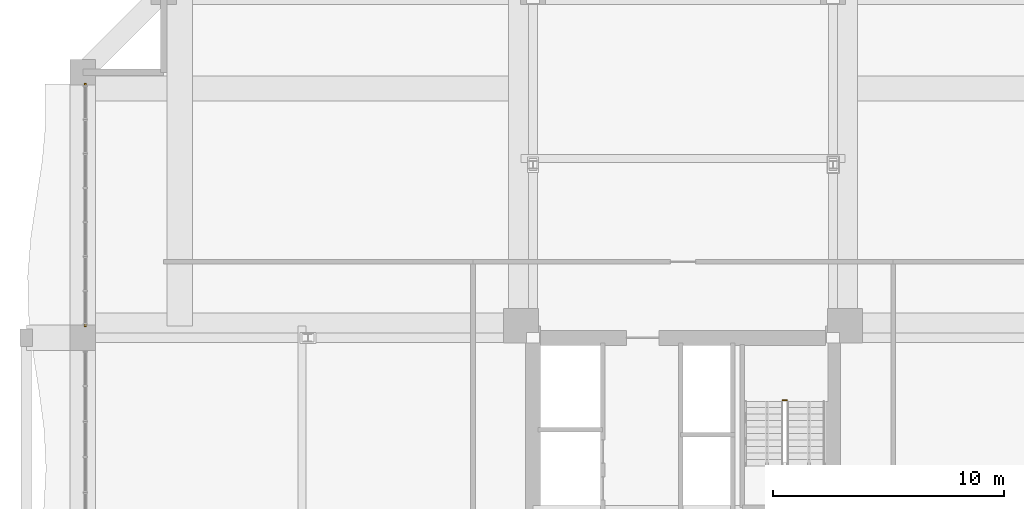
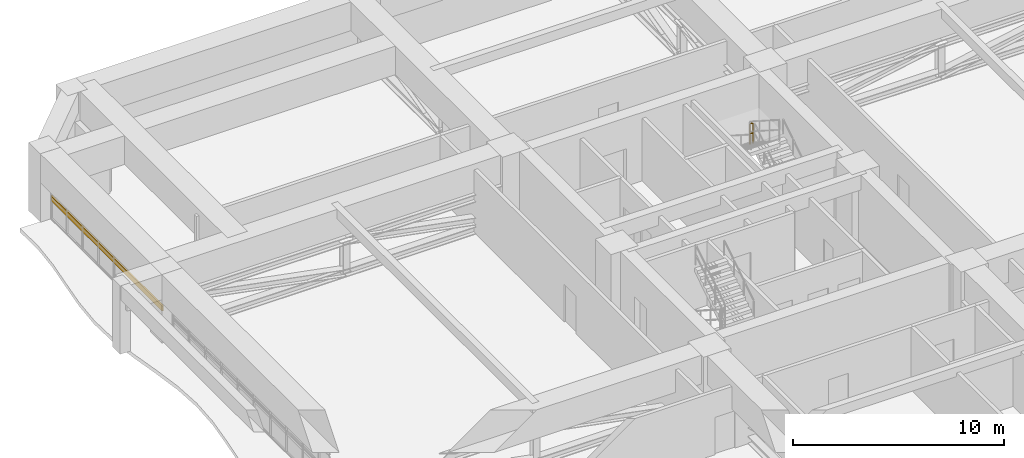
# One storey, part 34 of 35: 1 railing, 1 shading device.
"""IFC4 building model written with IfcOpenShell, lengths in metres."""

from ifc_helpers import new_model, si_unit, direction, frame, origin, origin_2d, place, context, subcontext, project, spatial, rectangle, extrude, source, transform, mapped, material, material_profile, profile_set, type_object, element, save


model = new_model("IFC4")

# Units and contexts
model_context = context("Model", 3, precision=1e-05, world=origin(), true_north=direction((0.0, 1.0)))
body_context = subcontext(model_context, "Body", "Model", "MODEL_VIEW")
ifc_project = project(units=[si_unit("LENGTHUNIT", "METRE"), si_unit("AREAUNIT", "SQUARE_METRE"), si_unit("VOLUMEUNIT", "CUBIC_METRE"), si_unit("PLANEANGLEUNIT", "RADIAN"), si_unit("MASSUNIT", "GRAM", prefix="KILO")], contexts=[model_context])

# Site, building, storey
site_placement = place(None, origin())
site = spatial("IfcSite", under=ifc_project, at=site_placement, CompositionType="ELEMENT")
building_placement = place(site_placement, origin())
building = spatial("IfcBuilding", under=site, at=building_placement, Name="Saelheon Loggia Tower", CompositionType="ELEMENT")
storey_placement = place(building_placement, frame((0.0, 0.0, 70.39990234375)))
storey = spatial("IfcBuildingStorey", under=building, at=storey_placement, Name="L22", CompositionType="ELEMENT", Elevation=70.39990234375)

# Railing
ifc_material_1 = material(Name="Galvanised Steel S275 Stairwell Guardrail", Category="steel")
railing_type = type_object("IfcRailingType", Name="Guard_StairWell_RL_STG", PredefinedType="GUARDRAIL", material=ifc_material_1)
railing_placement = place(storey_placement, frame((42.489990234375, 33.300048828125, 1.97509765625)))
element("IfcRailing", 1, at=railing_placement, inside=storey, type_object=railing_type, Name="L22 ST2 stair guard 2", PredefinedType="GUARDRAIL", context=body_context, shape_type="SweptSolid", body=[
    extrude(rectangle(XDim=0.048095703125, YDim=0.048095703125, at=origin_2d()), frame((-0.033203125, 0.0, 1.17578125), z_axis=(-1.0, 0.0, 0.0), x_axis=(0.0, -1.0, 0.0)), (0.0, 0.0, 1.0), 0.093505859375),
    extrude(rectangle(XDim=0.048095703125, YDim=0.048095703125, at=origin_2d()), frame((-0.033203125, 0.0, 0.60009765625), z_axis=(-1.0, 0.0, 0.0), x_axis=(0.0, -1.0, 0.0)), (0.0, 0.0, 1.0), 0.093505859375),
    extrude(rectangle(XDim=0.0419921875, YDim=0.0419921875, at=origin_2d()), origin(), (0.0, 0.0, 1.0), 1.14794921875),
    extrude(rectangle(XDim=0.0419921875, YDim=0.0419921875, at=origin_2d()), frame((-0.159912109375, 0.0, 0.0)), (0.0, 0.0, 1.0), 1.14794921875),
])

# Shading device
ifc_material_2 = material(Name="Bronze-Anodised Aluminium 6063-T6", Category="aluminium")
ifc_material_profile = material_profile(ifc_material_2, rectangle(XDim=0.080078125, YDim=0.300048828125, at=origin_2d()), Name="Louvre_Refuge_LV_RF1")
ifc_profile_set = profile_set([ifc_material_profile], Name="Bronze-Anodised Aluminium 6063-T6")
shading_device_type = type_object("IfcShadingDeviceType", Name="Louvre_Refuge_LV_RF1", PredefinedType="JALOUSIE", material=ifc_profile_set)
shared_shape = source(origin(), body_context, "Body", "SweptSolid", [
    extrude(rectangle(XDim=0.080078125, YDim=0.300048828125, at=origin_2d()), origin(), (0.0, 0.0, 1.0), 10.5400390625),
])
shading_device_placement = place(storey_placement, frame((12.10009765625, 36.47998046875, 1.150146484375), z_axis=(0.0, 1.0, 0.0), x_axis=(-1.0, 0.0, 0.0)))
element("IfcShadingDevice", 2, at=shading_device_placement, inside=storey, type_object=shading_device_type, Name="L22 Refuge Acoustic Louvre Blade", PredefinedType="JALOUSIE", context=body_context, shape_type="MappedRepresentation", body=[
    mapped(shared_shape, transform((0.0, 0.0, 0.0), scale=1.0)),
])

save(model, "model.ifc")
